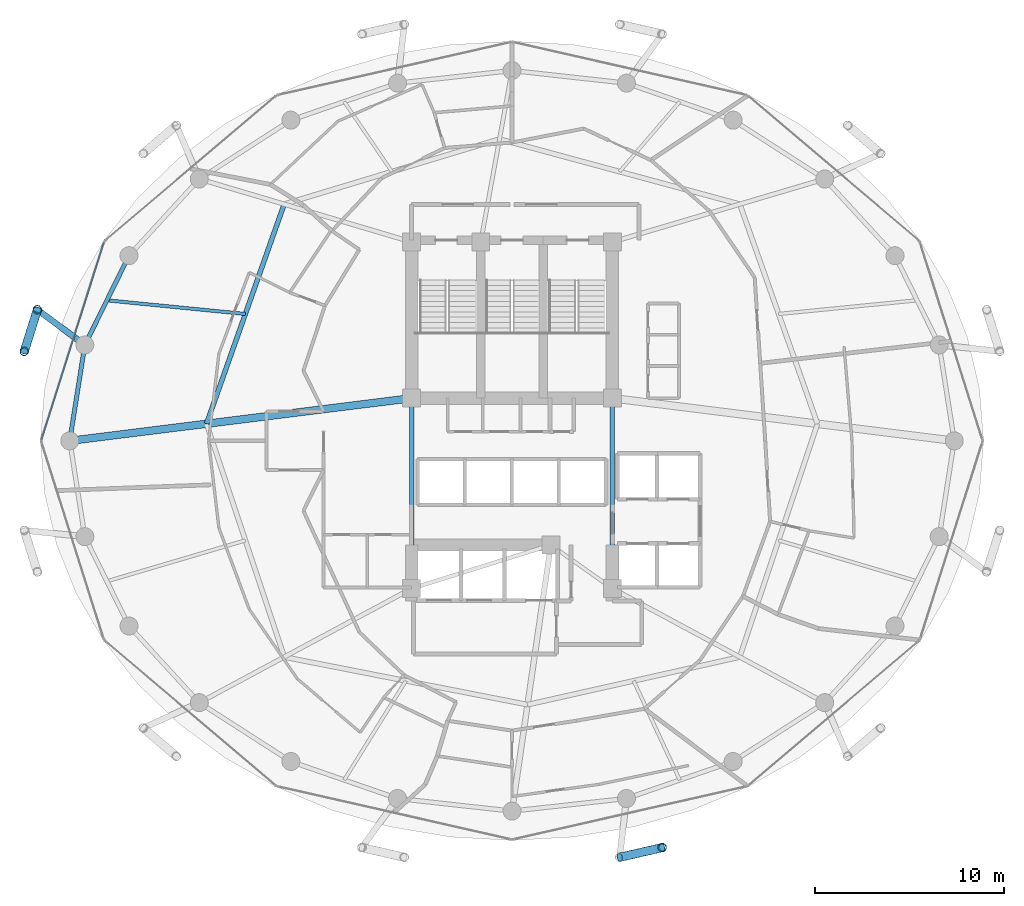
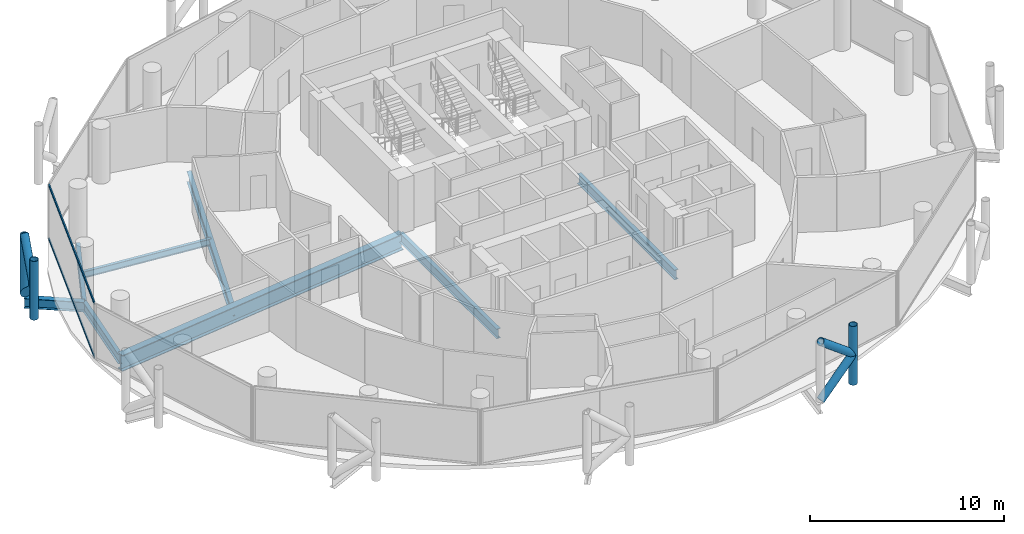
# One storey, part 7 of 26: 9 members, 8 beams, 1 element without a shape of its own.
"""IFC4 building model written with IfcOpenShell, lengths in metres."""

import ifcopenshell
import ifcopenshell.guid

model = None  # the IFC model being written
_history = None  # IfcOwnerHistory: only IFC2X3 demands one
_inside = {}  # id of a spatial element -> (the spatial element, [elements in it])
_under = {}  # id of a project, library or spatial element -> (it, [spatial elements below it])
_declared = {}  # id of a project -> (the project, [libraries it declares])
_typed = {}  # id of a type object -> (the type object, [elements of that type])
_made_of = {}  # id of a material, layer set ... -> (it, [elements and type objects made of it])


def new_model(schema):
    """Start an empty IFC model of exactly this schema.

    Asked for "IFC4X3", IfcOpenShell would pick the latest addendum, in which some entities
    have other attributes; the version numbers below select the first issue.
    IFC2X3 requires an IfcOwnerHistory on every rooted entity: one is made here for all.
    """
    global model, _history
    if schema == "IFC4X3":
        model = ifcopenshell.file(schema_version=(4, 3, 0, 0))
    else:
        model = ifcopenshell.file(schema=schema)
    _inside.clear()
    _under.clear()
    _declared.clear()
    _typed.clear()
    _made_of.clear()
    _history = None
    if model.schema == "IFC2X3":
        org = make("IfcOrganization", Name="unknown")
        user = make(
            "IfcPersonAndOrganization",
            ThePerson=make("IfcPerson", FamilyName="unknown"),
            TheOrganization=org,
        )
        app = make(
            "IfcApplication",
            ApplicationDeveloper=org,
            Version="unknown",
            ApplicationFullName="unknown",
            ApplicationIdentifier="unknown",
        )
        _history = make(
            "IfcOwnerHistory",
            OwningUser=user,
            OwningApplication=app,
            ChangeAction="ADDED",
            CreationDate=0,
        )
    return model


def make(cls, **values):
    """One entity of the class cls with the attributes given. An attribute that is None is left unset."""
    return model.create_entity(
        cls, **{name: value for name, value in values.items() if value is not None}
    )


def rooted(cls, **values):
    """An entity with a GlobalId (a new one), such as an element, a storey or a relation."""
    return make(cls, GlobalId=ifcopenshell.guid.new(), OwnerHistory=_history, **values)


def si_unit(unit_type, name, prefix=None):
    """IfcSIUnit, for example si_unit("LENGTHUNIT", "METRE", prefix="MILLI")."""
    return make("IfcSIUnit", UnitType=unit_type, Prefix=prefix, Name=name)


def assignment(units):
    """IfcUnitAssignment: the units of a project."""
    return None if units is None else make("IfcUnitAssignment", Units=units)


def point(xyz):
    """IfcCartesianPoint."""
    return None if xyz is None else make("IfcCartesianPoint", Coordinates=xyz)


def direction(xyz):
    """IfcDirection."""
    return None if xyz is None else make("IfcDirection", DirectionRatios=xyz)


def frame(location, z_axis=None, x_axis=None):
    """IfcAxis2Placement3D, a coordinate frame: its origin and axes. An axis left out is left unset."""
    return make(
        "IfcAxis2Placement3D",
        Location=point(location),
        Axis=direction(z_axis),
        RefDirection=direction(x_axis),
    )


def frame_2d(location, x_axis=None):
    """IfcAxis2Placement2D, a coordinate frame in the plane: its origin and x axis."""
    return make(
        "IfcAxis2Placement2D", Location=point(location), RefDirection=direction(x_axis)
    )


def origin():
    """The frame at (0, 0, 0) with its axes left unset."""
    return frame((0.0, 0.0, 0.0))


def origin_2d():
    """The frame at (0, 0) in the plane with its x axis left unset."""
    return frame_2d((0.0, 0.0))


def place(relative_to, where):
    """IfcLocalPlacement: puts the frame where relative to a parent placement (None: the world)."""
    return make(
        "IfcLocalPlacement", PlacementRelTo=relative_to, RelativePlacement=where
    )


def context(
    kind, dimensions, precision=None, world=None, true_north=None, identifier=None
):
    """IfcGeometricRepresentationContext, for example the 3D "Model" context."""
    return make(
        "IfcGeometricRepresentationContext",
        ContextIdentifier=identifier,
        ContextType=kind,
        CoordinateSpaceDimension=dimensions,
        Precision=precision,
        WorldCoordinateSystem=world,
        TrueNorth=true_north,
    )


def subcontext(parent, identifier, kind, view, scale=None):
    """IfcGeometricRepresentationSubContext, for example "Body" below "Model"."""
    return make(
        "IfcGeometricRepresentationSubContext",
        ContextIdentifier=identifier,
        ContextType=kind,
        ParentContext=parent,
        TargetScale=scale,
        TargetView=view,
    )


def project(units=None, contexts=None):
    """IfcProject with its units and contexts."""
    return rooted(
        "IfcProject",
        Name="project",
        RepresentationContexts=contexts,
        UnitsInContext=assignment(units),
    )


def spatial(cls, under=None, at=None, **own):
    """A site, building, storey or space (cls), placed at a placement, below another one or the project."""
    s = rooted(cls, ObjectPlacement=at, **own)
    if under is not None:
        _under.setdefault(under.id(), (under, []))[1].append(s)
    return s


def profile(cls, at=None, kind="AREA", **sizes):
    """A parametric profile (cls). Its sizes go by their IFC names, for example OverallWidth=200.0."""
    return make(cls, ProfileType=kind, Position=at, **sizes)


def hollow_rectangle(**sizes):
    """IfcRectangleHollowProfileDef."""
    return profile("IfcRectangleHollowProfileDef", **sizes)


def hollow_circle(**sizes):
    """IfcCircleHollowProfileDef."""
    return profile("IfcCircleHollowProfileDef", **sizes)


def i_section(**sizes):
    """IfcIShapeProfileDef."""
    return profile("IfcIShapeProfileDef", **sizes)


def extrude(swept, where, along, depth):
    """IfcExtrudedAreaSolid: the profile swept, set in the frame where, extruded along a direction by depth."""
    return make(
        "IfcExtrudedAreaSolid",
        SweptArea=swept,
        Position=where,
        ExtrudedDirection=direction(along),
        Depth=depth,
    )


def shape(context_of_items, identifier, shape_type, items):
    """IfcShapeRepresentation: the items that make up one representation, for example the "Body"."""
    return make(
        "IfcShapeRepresentation",
        ContextOfItems=context_of_items,
        RepresentationIdentifier=identifier,
        RepresentationType=shape_type,
        Items=items,
    )


def material(Name=None, Category=None):
    """IfcMaterial."""
    return make("IfcMaterial", Name=Name, Category=Category)


def layer(
    of_material, thickness, ventilated=None, Name=None, Category=None, Priority=None
):
    """IfcMaterialLayer: one layer of a wall or slab, of a material (None: an air gap)."""
    return make(
        "IfcMaterialLayer",
        Material=of_material,
        LayerThickness=thickness,
        IsVentilated=ventilated,
        Name=Name,
        Category=Category,
        Priority=Priority,
    )


def layer_set(layers, Name=None):
    """IfcMaterialLayerSet."""
    return make("IfcMaterialLayerSet", MaterialLayers=layers, LayerSetName=Name)


def material_profile(
    of_material, cross_section, Name=None, Category=None, Priority=None
):
    """IfcMaterialProfile: a cross section and its material."""
    return make(
        "IfcMaterialProfile",
        Name=Name,
        Material=of_material,
        Profile=cross_section,
        Priority=Priority,
        Category=Category,
    )


def profile_set(profiles, Name=None, composite=None):
    """IfcMaterialProfileSet."""
    return make(
        "IfcMaterialProfileSet",
        Name=Name,
        MaterialProfiles=profiles,
        CompositeProfile=composite,
    )


def made_of(thing, what):
    """Note that an element or type object is made of a material, layer set ...; save() writes the relation."""
    if what is not None:
        _made_of.setdefault(what.id(), (what, []))[1].append(thing)
    return thing


def type_object(cls, material=None, **own):
    """A type object (cls), such as IfcWallType, which elements share."""
    return made_of(rooted(cls, **own), material)


def element(
    cls,
    number,
    at=None,
    inside=None,
    cuts=None,
    type_object=None,
    material=None,
    context=None,
    identifier="Body",
    shape_type=None,
    held_by="IfcProductDefinitionShape",
    body=None,
    shapes=None,
    **own,
):
    """One element of the class cls, such as IfcWall. Its Tag is "e" and its number.

    at: its placement. inside: the storey or other place that contains it. cuts: it is an
    opening in that element (IfcRelVoidsElement). A single representation is given by context,
    identifier, shape_type and body (its items); several are given by shapes. held_by: the class
    of the entity that holds the representations. save() writes the other relations.
    """
    e = rooted(cls, Tag="e%d" % number, ObjectPlacement=at, **own)
    if body is not None:
        shapes = [shape(context, identifier, shape_type, body)]
    if shapes is not None:
        e.Representation = make(held_by, Representations=shapes)
    if inside is not None:
        _inside.setdefault(inside.id(), (inside, []))[1].append(e)
    if cuts is not None:
        rooted(
            "IfcRelVoidsElement", RelatingBuildingElement=cuts, RelatedOpeningElement=e
        )
    if type_object is not None:
        _typed.setdefault(type_object.id(), (type_object, []))[1].append(e)
    return made_of(e, material)


def aggregate(whole, parts):
    """IfcRelAggregates: a whole, such as a stair, and the parts it consists of."""
    return rooted("IfcRelAggregates", RelatingObject=whole, RelatedObjects=parts)


def save(model, path):
    """Write the relations noted so far, then the file.

    IfcRelAggregates (storeys below a building ...), IfcRelContainedInSpatialStructure (elements
    in a storey), IfcRelDefinesByType, IfcRelAssociatesMaterial and IfcRelDeclares: one each for
    every whole, place, type object, material and project.
    """
    for whole, parts in _under.values():
        aggregate(whole, parts)
    for where, things in _inside.values():
        rooted(
            "IfcRelContainedInSpatialStructure",
            RelatedElements=things,
            RelatingStructure=where,
        )
    for kind, things in _typed.values():
        rooted("IfcRelDefinesByType", RelatedObjects=things, RelatingType=kind)
    for what, things in _made_of.values():
        rooted("IfcRelAssociatesMaterial", RelatedObjects=things, RelatingMaterial=what)
    for by, libraries in _declared.values():
        rooted("IfcRelDeclares", RelatingContext=by, RelatedDefinitions=libraries)
    model.write(path)


model = new_model("IFC4")

# Units and contexts
model_context = context("Model", 3, precision=1e-05, world=origin(), true_north=direction((0.0, 1.0)))
body_context = subcontext(model_context, "Body", "Model", "MODEL_VIEW")
ifc_project = project(units=[si_unit("LENGTHUNIT", "METRE"), si_unit("AREAUNIT", "SQUARE_METRE"), si_unit("VOLUMEUNIT", "CUBIC_METRE"), si_unit("PLANEANGLEUNIT", "RADIAN"), si_unit("MASSUNIT", "GRAM", prefix="KILO")], contexts=[model_context])

# Site, building, storey
site_placement = place(None, origin())
site = spatial("IfcSite", under=ifc_project, at=site_placement, CompositionType="ELEMENT")
building_placement = place(site_placement, origin())
building = spatial("IfcBuilding", under=site, at=building_placement, Name="Nuhasar Tower", CompositionType="ELEMENT")
storey_placement = place(building_placement, frame((0.0, 0.0, 136.75)))
storey = spatial("IfcBuildingStorey", under=building, at=storey_placement, Name="L32", CompositionType="ELEMENT", Elevation=136.75)

# Beams
ifc_material_1 = material(Name="Steel S355", Category="steel")
ifc_material_profile_1 = material_profile(ifc_material_1, i_section(OverallWidth=0.25390625, OverallDepth=0.68408203125, WebThickness=0.012451171875, FlangeThickness=0.018798828125, at=origin_2d()), Name="W27X94")
ifc_profile_set_1 = profile_set([ifc_material_profile_1], Name="Steel S355")
beam_type_1 = type_object("IfcBeamType", Name="BM-INRING-W27X94", PredefinedType="BEAM", material=ifc_profile_set_1)
beam_1_placement = place(storey_placement, frame((26.972900390625, 39.2939453125, -0.592041015625), z_axis=(-0.333599821096, -0.942714781556, 0.0), x_axis=(0.942714781556, -0.333599821096, 0.0)))
element("IfcBeam", 1, at=beam_1_placement, inside=storey, type_object=beam_type_1, Name="L32 Inner Header Beam 07", PredefinedType="BEAM", context=body_context, shape_type="SweptSolid", body=[
    extrude(i_section(OverallWidth=0.25390625, OverallDepth=0.68408203125, WebThickness=0.012451171875, FlangeThickness=0.018798828125, at=origin_2d()), origin(), (0.0, 0.0, 1.0), 12.298583984375),
])
ifc_material_profile_2 = material_profile(ifc_material_1, i_section(OverallWidth=0.177978515625, OverallDepth=0.406005859375, WebThickness=0.0078125, FlangeThickness=0.0126953125, at=origin_2d()), Name="W16X40")
ifc_profile_set_2 = profile_set([ifc_material_profile_2], Name="Steel S355")
beam_type_2 = type_object("IfcBeamType", Name="BM-JST-W16X40", PredefinedType="JOIST", material=ifc_profile_set_2)
beam_2_placement = place(storey_placement, frame((24.922119140625, 33.4970703125, -0.452880859375), z_axis=(-0.995171845755, 0.098147834497, 0.0), x_axis=(-0.098147834497, -0.995171845755, 0.0)))
element("IfcBeam", 2, at=beam_2_placement, inside=storey, type_object=beam_type_2, Name="L32 Secondary Floor Joist 07", PredefinedType="JOIST", context=body_context, shape_type="SweptSolid", body=[
    extrude(i_section(OverallWidth=0.177978515625, OverallDepth=0.406005859375, WebThickness=0.0078125, FlangeThickness=0.0126953125, at=origin_2d()), origin(), (0.0, 0.0, 1.0), 7.345458984375),
])
ifc_material_profile_3 = material_profile(ifc_material_1, i_section(OverallWidth=0.22900390625, OverallDepth=0.612060546875, WebThickness=0.011962890625, FlangeThickness=0.01953125, at=origin_2d()), Name="W24X84")
ifc_profile_set_3 = profile_set([ifc_material_profile_3], Name="Steel S355")
beam_type_3 = type_object("IfcBeamType", Name="BM-RAD-W24X84", PredefinedType="BEAM", material=ifc_profile_set_3)
for number, where, z_axis, x_axis, name in (
    (3, (44.300048828125, 19.0, -0.555908203125), (0.0, 1.0, 0.0), (-1.0, 0.0, 0.0), "L32 Core Ring Girder 3"),
    (4, (33.699951171875, 29.050048828125, -0.555908203125), (0.0, -1.0, 0.0), (1.0, 0.0, 0.0), "L32 Core Ring Girder 8"),
):
    element("IfcBeam", number, at=place(storey_placement, frame(where, z_axis=z_axis, x_axis=x_axis)), inside=storey, type_object=beam_type_3, Name=name, PredefinedType="BEAM", context=body_context, shape_type="SweptSolid", body=[
        extrude(i_section(OverallWidth=0.22900390625, OverallDepth=0.612060546875, WebThickness=0.011962890625, FlangeThickness=0.01953125, at=origin_2d()), origin(), (0.0, 0.0, 1.0), 10.050048828125),
    ])
ifc_material_profile_4 = material_profile(ifc_material_1, i_section(OverallWidth=0.22998046875, OverallDepth=0.616943359375, WebThickness=0.01318359375, FlangeThickness=0.022216796875, at=origin_2d()), Name="W24X94")
ifc_profile_set_4 = profile_set([ifc_material_profile_4], Name="Steel S355")
beam_type_4 = type_object("IfcBeamType", Name="BM-RING-W24X94", PredefinedType="SPANDREL", material=ifc_profile_set_4)
beam_3_placement = place(storey_placement, frame((18.778076171875, 36.574951171875, -0.55908203125), z_axis=(-0.443347771709, -0.896349682501, 0.0), x_axis=(0.896349682501, -0.443347771709, 0.0)))
element("IfcBeam", 5, at=beam_3_placement, inside=storey, type_object=beam_type_4, Name="L32 Perimeter Ring Spandrel 11", PredefinedType="SPANDREL", context=body_context, shape_type="SweptSolid", body=[
    extrude(i_section(OverallWidth=0.22998046875, OverallDepth=0.616943359375, WebThickness=0.01318359375, FlangeThickness=0.022216796875, at=origin_2d()), origin(), (0.0, 0.0, 1.0), 5.260009765625),
])
beam_4_placement = place(storey_placement, frame((16.446044921875, 31.860107421875, -0.55908203125), z_axis=(-0.155426543608, -0.987847452566, 0.0), x_axis=(0.987847452566, -0.155426543608, 0.0)))
element("IfcBeam", 6, at=beam_4_placement, inside=storey, type_object=beam_type_4, Name="L32 Perimeter Ring Spandrel 12", PredefinedType="SPANDREL", context=body_context, shape_type="SweptSolid", body=[
    extrude(i_section(OverallWidth=0.22998046875, OverallDepth=0.616943359375, WebThickness=0.01318359375, FlangeThickness=0.022216796875, at=origin_2d()), origin(), (0.0, 0.0, 1.0), 5.122314453125),
])
ifc_material_profile_5 = material_profile(ifc_material_1, i_section(OverallWidth=0.323974609375, OverallDepth=0.611083984375, WebThickness=0.0126953125, FlangeThickness=0.01904296875, at=origin_2d()), Name="W24X104")
ifc_profile_set_5 = profile_set([ifc_material_profile_5], Name="Steel S355")
beam_type_5 = type_object("IfcBeamType", Name="BM-TIE-W24X104", PredefinedType="BEAM", material=ifc_profile_set_5)
beam_5_placement = place(storey_placement, frame((16.446044921875, 31.860107421875, -0.554931640625), z_axis=(-0.802872198291, 0.596151183183, 0.0), x_axis=(-0.596151183183, -0.802872198291, 0.0)))
element("IfcBeam", 7, at=beam_5_placement, inside=storey, type_object=beam_type_5, Name="L32 Exoskeleton Node Tie Beam 06", PredefinedType="BEAM", context=body_context, shape_type="SweptSolid", body=[
    extrude(i_section(OverallWidth=0.323974609375, OverallDepth=0.611083984375, WebThickness=0.0126953125, FlangeThickness=0.01904296875, at=origin_2d()), origin(), (0.0, 0.0, 1.0), 3.121337890625),
])
ifc_material_2 = material(Name="Steel S460", Category="steel")
ifc_material_profile_6 = material_profile(ifc_material_2, i_section(OverallWidth=0.40087890625, OverallDepth=1.010009765625, WebThickness=0.023681640625, FlangeThickness=0.0419921875, at=origin_2d()), Name="W40X297")
ifc_profile_set_6 = profile_set([ifc_material_profile_6], Name="Steel S460")
beam_type_6 = type_object("IfcBeamType", Name="BM-XFER-W40X297", PredefinedType="USERDEFINED", material=ifc_profile_set_6)
beam_6_placement = place(storey_placement, frame((33.699951171875, 29.050048828125, -0.7548828125), z_axis=(-0.992320149485, -0.123696082908, 0.0), x_axis=(0.123696082908, -0.992320149485, 0.0)))
element("IfcBeam", 8, at=beam_6_placement, inside=storey, type_object=beam_type_6, Name="L32 Radial Floor Girder 08", ObjectType="GIRDER", PredefinedType="USERDEFINED", context=body_context, shape_type="SweptSolid", body=[
    extrude(i_section(OverallWidth=0.40087890625, OverallDepth=1.010009765625, WebThickness=0.023681640625, FlangeThickness=0.0419921875, at=origin_2d()), origin(), (0.0, 0.0, 1.0), 18.189697265625),
])

# Curtain wall, members
ifc_material_3 = material(Name="Aluminium 6063-T6", Category="aluminium")
ifc_layer = layer(ifc_material_3, 0.199951171875)
ifc_layer_set = layer_set([ifc_layer], Name="Aluminium 6063-T6")
curtain_wall_type = type_object("IfcCurtainWallType", Name="CW-Z2-HTL", PredefinedType="NOTDEFINED", material=ifc_layer_set)
curtain_wall_placement = place(storey_placement, origin())
curtain_wall = element("IfcCurtainWall", 9, at=curtain_wall_placement, inside=storey, type_object=curtain_wall_type, Name="L32 Unitised Curtain Wall 06", PredefinedType="NOTDEFINED")
ifc_material_profile_7 = material_profile(ifc_material_3, hollow_rectangle(XDim=0.070068359375, YDim=0.159912109375, WallThickness=0.00439453125, at=origin_2d()), Name="CWT-3")
ifc_profile_set_7 = profile_set([ifc_material_profile_7], Name="Aluminium 6063-T6")
member_type_1 = type_object("IfcMemberType", Name="CW-TRN-S3", PredefinedType="USERDEFINED", material=ifc_profile_set_7)
member_1_placement = place(storey_placement, frame((17.449951171875, 37.26318359375, 0.034912109375), z_axis=(-0.301608163352, -0.953431967053, 0.0), x_axis=(0.953431967053, -0.301608163352, 0.0)))
member_1 = element("IfcMember", 10, at=member_1_placement, type_object=member_type_1, Name="CW-Z2 transom 1.1", ObjectType="TRANSOM", PredefinedType="USERDEFINED", context=body_context, shape_type="SweptSolid", body=[
    extrude(hollow_rectangle(XDim=0.070068359375, YDim=0.159912109375, WallThickness=0.00439453125, at=origin_2d()), origin(), (0.0, 0.0, 1.0), 10.904296875),
])
member_2_placement = place(storey_placement, frame((17.449951171875, 37.26318359375, 3.4150390625), z_axis=(-0.301608163352, -0.953431967053, 0.0), x_axis=(0.953431967053, -0.301608163352, 0.0)))
member_2 = element("IfcMember", 11, at=member_2_placement, type_object=member_type_1, Name="CW-Z2 transom 1.2", ObjectType="TRANSOM", PredefinedType="USERDEFINED", context=body_context, shape_type="SweptSolid", body=[
    extrude(hollow_rectangle(XDim=0.070068359375, YDim=0.159912109375, WallThickness=0.00439453125, at=origin_2d()), origin(), (0.0, 0.0, 1.0), 10.904296875),
])
aggregate(curtain_wall, [member_1, member_2])

# Members
ifc_material_profile_8 = material_profile(ifc_material_2, hollow_circle(Radius=0.228515625, WallThickness=0.022216796875, at=origin_2d()), Name="HSS457X22.2")
ifc_profile_set_8 = profile_set([ifc_material_profile_8], Name="Steel S460")
member_type_2 = type_object("IfcMemberType", Name="EXO-BRONZE-457", PredefinedType="BRACE", material=ifc_profile_set_8)
for number, where, z_axis, x_axis, name in (
    (12, (13.93994140625, 33.720947265625, 0.0), (0.0, 0.0, 1.0), (1.0, 0.0, 0.0), "L32 Exoskeleton Chord Column EC-06A"),
    (13, (13.251953125, 31.52587890625, 0.0), (0.0, 0.0, 1.0), (1.0, 0.0, 0.0), "L32 Exoskeleton Chord Column EC-06B"),
    (14, (46.927978515625, 5.323974609375, 0.0), (0.0, 0.0, 1.0), (1.0, 0.0, 0.0), "L32 Exoskeleton Chord Column EC-10B"),
):
    element("IfcMember", number, at=place(storey_placement, frame(where, z_axis=z_axis, x_axis=x_axis)), inside=storey, type_object=member_type_2, Name=name, PredefinedType="BRACE", context=body_context, shape_type="SweptSolid", body=[
        extrude(hollow_circle(Radius=0.228515625, WallThickness=0.022216796875, at=origin_2d()), origin(), (0.0, 0.0, 1.0), 3.699951171875),
    ])
member_3_placement = place(storey_placement, frame((13.93994140625, 33.720947265625, 0.0), z_axis=(-0.233055548538, -0.743577869731, 0.626719285599), x_axis=(0.954228474306, -0.29907861646, 0.0)))
element("IfcMember", 15, at=member_3_placement, inside=storey, type_object=member_type_2, Name="L32 Bronze Diagrid Brace W1-06", PredefinedType="BRACE", context=body_context, shape_type="SweptSolid", body=[
    extrude(hollow_circle(Radius=0.228515625, WallThickness=0.022216796875, at=origin_2d()), origin(), (0.0, 0.0, 1.0), 2.9521484375),
])
for number, where, z_axis, x_axis, name in (
    (16, (13.251953125, 31.52587890625, 1.85009765625), (0.233067628236, 0.74361641074, 0.626669062861), (-0.954228474306, 0.29907861646, 0.0), "L32 Bronze Diagrid Brace W2-06"),
    (17, (44.68603515625, 4.81005859375, 0.0), (0.759510488094, 0.174101010284, 0.626763637022), (-0.223432882746, 0.974719316987, 0.0), "L32 Bronze Diagrid Brace W1-10"),
):
    element("IfcMember", number, at=place(storey_placement, frame(where, z_axis=z_axis, x_axis=x_axis)), inside=storey, type_object=member_type_2, Name=name, PredefinedType="BRACE", context=body_context, shape_type="SweptSolid", body=[
        extrude(hollow_circle(Radius=0.228515625, WallThickness=0.022216796875, at=origin_2d()), origin(), (0.0, 0.0, 1.0), 2.951904296875),
    ])
member_4_placement = place(storey_placement, frame((46.927978515625, 5.323974609375, 1.85009765625), z_axis=(-0.759549860492, -0.174110035537, 0.626713415327), x_axis=(0.223432882746, -0.974719316987, 0.0)))
element("IfcMember", 18, at=member_4_placement, inside=storey, type_object=member_type_2, Name="L32 Bronze Diagrid Brace W2-10", PredefinedType="BRACE", context=body_context, shape_type="SweptSolid", body=[
    extrude(hollow_circle(Radius=0.228515625, WallThickness=0.022216796875, at=origin_2d()), origin(), (0.0, 0.0, 1.0), 2.95166015625),
])

save(model, "model.ifc")
